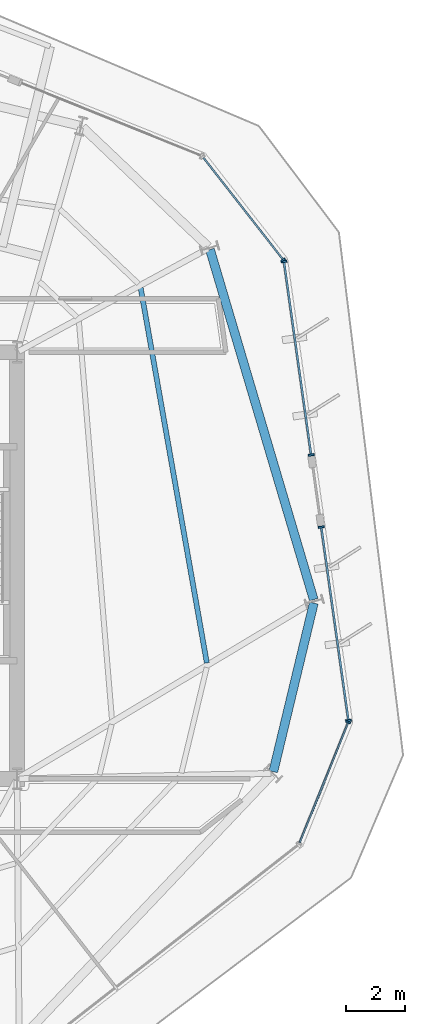
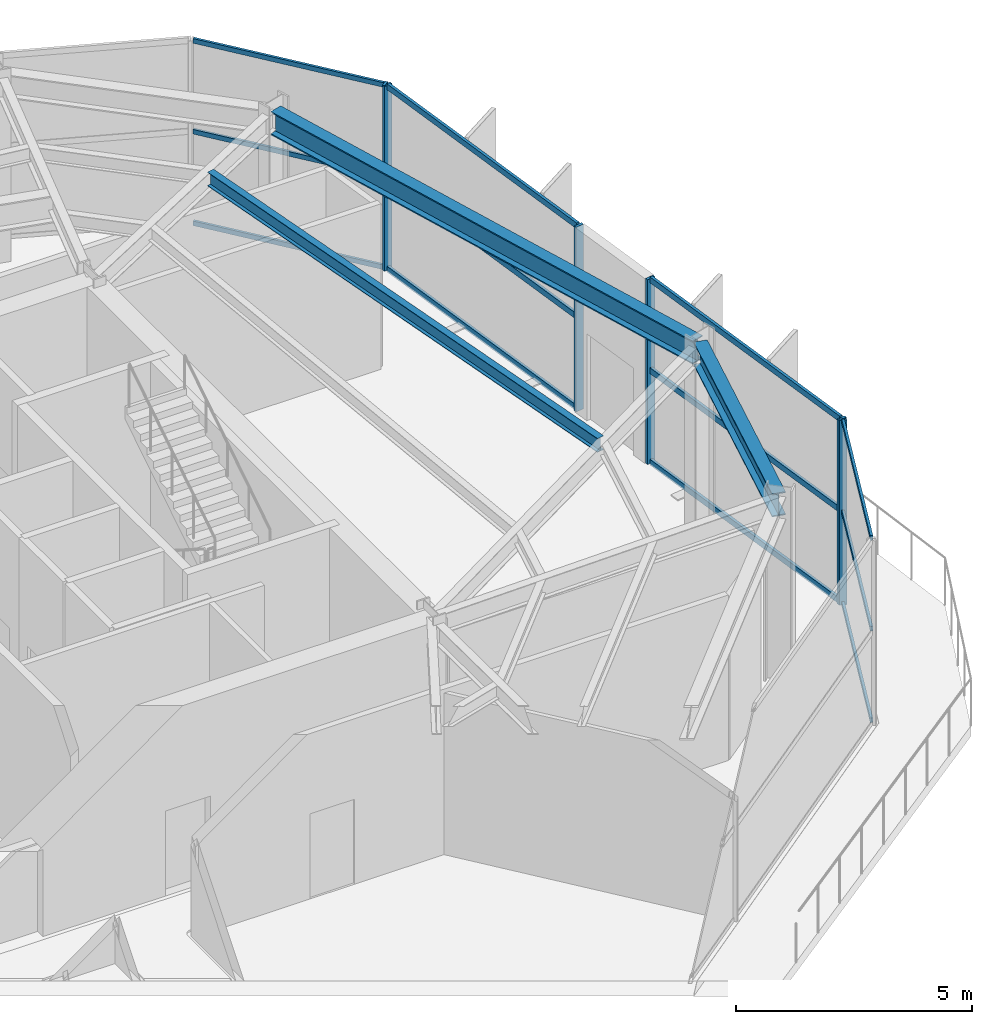
# One storey, part 6 of 14: 18 members, 3 beams, 4 elements without a shape of their own.
"""IFC4 building model written with IfcOpenShell, lengths in metres."""

from ifc_helpers import new_model, si_unit, direction, frame, origin, origin_2d, place, context, subcontext, project, spatial, rectangle, i_section, extrude, material, layer, layer_set, material_profile, profile_set, type_object, element, aggregate, save


model = new_model("IFC4")

# Units and contexts
model_context = context("Model", 3, precision=1e-05, world=origin(), true_north=direction((0.0, 1.0)))
body_context = subcontext(model_context, "Body", "Model", "MODEL_VIEW")
ifc_project = project(units=[si_unit("LENGTHUNIT", "METRE"), si_unit("AREAUNIT", "SQUARE_METRE"), si_unit("VOLUMEUNIT", "CUBIC_METRE"), si_unit("PLANEANGLEUNIT", "RADIAN"), si_unit("MASSUNIT", "GRAM", prefix="KILO")], contexts=[model_context])

# Site, building, storey
site_placement = place(None, origin())
site = spatial("IfcSite", under=ifc_project, at=site_placement, CompositionType="ELEMENT")
building_placement = place(site_placement, origin())
building = spatial("IfcBuilding", under=site, at=building_placement, Name="Kranzbogen Civic Tower", CompositionType="ELEMENT")
storey_placement = place(building_placement, frame((0.0, 0.0, 175.800048828125)))
storey = spatial("IfcBuildingStorey", under=building, at=storey_placement, Name="L42", CompositionType="ELEMENT", Elevation=175.800048828125)

# Curtain wall, member
ifc_material_1 = material(Name="Pale Anodised Aluminium", Category="aluminium")
ifc_layer_1 = layer(ifc_material_1, 0.219970703125, Name="Pale Anodised Aluminium")
ifc_layer_set_1 = layer_set([ifc_layer_1], Name="Pale Anodised Aluminium")
curtain_wall_type_1 = type_object("IfcCurtainWallType", Name="Chamfer Facet Stick Curtain Wall System CW-06", PredefinedType="USERDEFINED", material=ifc_layer_set_1)
curtain_wall_1_placement = place(storey_placement, origin())
curtain_wall_1 = element("IfcCurtainWall", 1, at=curtain_wall_1_placement, inside=storey, type_object=curtain_wall_type_1, Name="L42 curtain wall CW-L42-C5", ObjectType="STICK CURTAIN WALL", PredefinedType="USERDEFINED")
ifc_material_profile_1 = material_profile(ifc_material_1, rectangle(XDim=0.06005859375, YDim=0.159912109375, at=origin_2d()), Name="ALU-M 60x160")
ifc_profile_set_1 = profile_set([ifc_material_profile_1], Name="Pale Anodised Aluminium")
member_type_1 = type_object("IfcMemberType", Name="Curtain Wall Mullion ALU-M 60x160", PredefinedType="MULLION", material=ifc_profile_set_1)
member_1_placement = place(storey_placement, frame((43.977783203125, 19.709228515625, 0.0), z_axis=(0.0, 0.0, 1.0), x_axis=(0.374707302781, 0.92714315898, 0.0)))
member_1 = element("IfcMember", 2, at=member_1_placement, type_object=member_type_1, Name="CW-06 mullion 2", PredefinedType="MULLION", context=body_context, shape_type="SweptSolid", body=[
    extrude(rectangle(XDim=0.06005859375, YDim=0.159912109375, at=origin_2d()), origin(), (0.0, 0.0, 1.0), 4.780029296875),
])

curtain_wall_2_placement = place(storey_placement, origin())
curtain_wall_2 = element("IfcCurtainWall", 3, at=curtain_wall_2_placement, inside=storey, type_object=curtain_wall_type_1, Name="L42 curtain wall CW-L42-C6", ObjectType="STICK CURTAIN WALL", PredefinedType="USERDEFINED")
member_2_placement = place(storey_placement, frame((41.784423828125, 35.316650390625, 0.0), z_axis=(0.0, 0.0, 1.0), x_axis=(-0.615674442522, 0.78800062235, 0.0)))
member_2 = element("IfcMember", 4, at=member_2_placement, type_object=member_type_1, Name="CW-06 mullion 1", PredefinedType="MULLION", context=body_context, shape_type="SweptSolid", body=[
    extrude(rectangle(XDim=0.06005859375, YDim=0.159912109375, at=origin_2d()), origin(), (0.0, 0.0, 1.0), 4.780029296875),
])

# Curtain wall, members
ifc_layer_2 = layer(ifc_material_1, 0.219970703125, Name="Pale Anodised Aluminium")
ifc_layer_set_2 = layer_set([ifc_layer_2], Name="Pale Anodised Aluminium")
curtain_wall_type_2 = type_object("IfcCurtainWallType", Name="Zone 3 Stick Curtain Wall System CW-04", PredefinedType="USERDEFINED", material=ifc_layer_set_2)
curtain_wall_3_placement = place(storey_placement, origin())
curtain_wall_3 = element("IfcCurtainWall", 5, at=curtain_wall_3_placement, inside=storey, type_object=curtain_wall_type_2, Name="L42 curtain wall CW-L42-F6-S1", ObjectType="STICK CURTAIN WALL", PredefinedType="USERDEFINED")
ifc_material_profile_2 = material_profile(ifc_material_1, rectangle(XDim=0.070068359375, YDim=0.199951171875, at=origin_2d()), Name="ALU-M 70x200")
ifc_profile_set_2 = profile_set([ifc_material_profile_2], Name="Pale Anodised Aluminium")
member_type_2 = type_object("IfcMemberType", Name="Curtain Wall Mullion ALU-M 70x200", PredefinedType="MULLION", material=ifc_profile_set_2)
member_3_placement = place(storey_placement, frame((43.98486328125, 19.7666015625, 0.0), z_axis=(0.0, 0.0, 1.0), x_axis=(-0.139148919332, 0.990271466947, 0.0)))
member_3 = element("IfcMember", 6, at=member_3_placement, type_object=member_type_2, Name="CW-04 mullion 1", PredefinedType="MULLION", context=body_context, shape_type="SweptSolid", body=[
    extrude(rectangle(XDim=0.070068359375, YDim=0.199951171875, at=origin_2d()), origin(), (0.0, 0.0, 1.0), 4.780029296875),
])
member_4_placement = place(storey_placement, frame((43.067138671875, 26.29736328125, 0.0), z_axis=(0.0, 0.0, 1.0), x_axis=(-0.139148919332, 0.990271466947, 0.0)))
member_4 = element("IfcMember", 7, at=member_4_placement, type_object=member_type_2, Name="CW-04 mullion 2", PredefinedType="MULLION", context=body_context, shape_type="SweptSolid", body=[
    extrude(rectangle(XDim=0.070068359375, YDim=0.199951171875, at=origin_2d()), origin(), (0.0, 0.0, 1.0), 4.780029296875),
])

curtain_wall_4_placement = place(storey_placement, origin())
curtain_wall_4 = element("IfcCurtainWall", 8, at=curtain_wall_4_placement, inside=storey, type_object=curtain_wall_type_2, Name="L42 curtain wall CW-L42-F6-S2", ObjectType="STICK CURTAIN WALL", PredefinedType="USERDEFINED")
member_5_placement = place(storey_placement, frame((42.724853515625, 28.733642578125, 0.0), z_axis=(0.0, 0.0, 1.0), x_axis=(-0.139169628699, 0.99026855673, 0.0)))
member_5 = element("IfcMember", 9, at=member_5_placement, type_object=member_type_2, Name="CW-04 mullion 1", PredefinedType="MULLION", context=body_context, shape_type="SweptSolid", body=[
    extrude(rectangle(XDim=0.070068359375, YDim=0.199951171875, at=origin_2d()), origin(), (0.0, 0.0, 1.0), 4.780029296875),
])
member_6_placement = place(storey_placement, frame((41.80712890625, 35.26318359375, 0.0), z_axis=(0.0, 0.0, 1.0), x_axis=(-0.139169628699, 0.99026855673, 0.0)))
member_6 = element("IfcMember", 10, at=member_6_placement, type_object=member_type_2, Name="CW-04 mullion 2", PredefinedType="MULLION", context=body_context, shape_type="SweptSolid", body=[
    extrude(rectangle(XDim=0.070068359375, YDim=0.199951171875, at=origin_2d()), origin(), (0.0, 0.0, 1.0), 4.780029296875),
])

# Member
ifc_material_profile_3 = material_profile(ifc_material_1, rectangle(XDim=0.06005859375, YDim=0.1201171875, at=origin_2d()), Name="ALU-T 60x120")
ifc_profile_set_3 = profile_set([ifc_material_profile_3], Name="Pale Anodised Aluminium")
member_type_3 = type_object("IfcMemberType", Name="Curtain Wall Transom ALU-T 60x120", PredefinedType="USERDEFINED", material=ifc_profile_set_3)
member_7_placement = place(storey_placement, frame((42.33740234375, 15.650634765625, 0.030029296875), z_axis=(0.374728583094, 0.927134558202, 0.0), x_axis=(-0.927134558202, 0.374728583094, 0.0)))
member_7 = element("IfcMember", 11, at=member_7_placement, type_object=member_type_3, Name="CW-06 transom 1.1", ObjectType="TRANSOM", PredefinedType="USERDEFINED", context=body_context, shape_type="SweptSolid", body=[
    extrude(rectangle(XDim=0.06005859375, YDim=0.1201171875, at=origin_2d()), origin(), (0.0, 0.0, 1.0), 4.34765625),
])

member_8_placement = place(storey_placement, frame((42.33740234375, 15.650634765625, 2.39990234375), z_axis=(0.374728583094, 0.927134558202, 0.0), x_axis=(-0.927134558202, 0.374728583094, 0.0)))
member_8 = element("IfcMember", 12, at=member_8_placement, type_object=member_type_3, Name="CW-06 transom 1.2", ObjectType="TRANSOM", PredefinedType="USERDEFINED", context=body_context, shape_type="SweptSolid", body=[
    extrude(rectangle(XDim=0.06005859375, YDim=0.1201171875, at=origin_2d()), origin(), (0.0, 0.0, 1.0), 4.34765625),
])

member_9_placement = place(storey_placement, frame((42.33740234375, 15.650634765625, 4.75), z_axis=(0.374728583094, 0.927134558202, 0.0), x_axis=(-0.927134558202, 0.374728583094, 0.0)))
member_9 = element("IfcMember", 13, at=member_9_placement, type_object=member_type_3, Name="CW-06 transom 1.3", ObjectType="TRANSOM", PredefinedType="USERDEFINED", context=body_context, shape_type="SweptSolid", body=[
    extrude(rectangle(XDim=0.06005859375, YDim=0.1201171875, at=origin_2d()), origin(), (0.0, 0.0, 1.0), 4.34765625),
])

aggregate(curtain_wall_1, [member_1, member_7, member_8, member_9])

member_10_placement = place(storey_placement, frame((41.76611328125, 35.34033203125, 0.030029296875), z_axis=(-0.61571159356, 0.787971594384, 0.0), x_axis=(-0.787971594384, -0.61571159356, 0.0)))
member_10 = element("IfcMember", 14, at=member_10_placement, type_object=member_type_3, Name="CW-06 transom 1.1", ObjectType="TRANSOM", PredefinedType="USERDEFINED", context=body_context, shape_type="SweptSolid", body=[
    extrude(rectangle(XDim=0.06005859375, YDim=0.1201171875, at=origin_2d()), origin(), (0.0, 0.0, 1.0), 4.34814453125),
])

member_11_placement = place(storey_placement, frame((41.76611328125, 35.34033203125, 2.39990234375), z_axis=(-0.61571159356, 0.787971594384, 0.0), x_axis=(-0.787971594384, -0.61571159356, 0.0)))
member_11 = element("IfcMember", 15, at=member_11_placement, type_object=member_type_3, Name="CW-06 transom 1.2", ObjectType="TRANSOM", PredefinedType="USERDEFINED", context=body_context, shape_type="SweptSolid", body=[
    extrude(rectangle(XDim=0.06005859375, YDim=0.1201171875, at=origin_2d()), origin(), (0.0, 0.0, 1.0), 4.34814453125),
])

member_12_placement = place(storey_placement, frame((41.76611328125, 35.34033203125, 4.75), z_axis=(-0.61571159356, 0.787971594384, 0.0), x_axis=(-0.787971594384, -0.61571159356, 0.0)))
member_12 = element("IfcMember", 16, at=member_12_placement, type_object=member_type_3, Name="CW-06 transom 1.3", ObjectType="TRANSOM", PredefinedType="USERDEFINED", context=body_context, shape_type="SweptSolid", body=[
    extrude(rectangle(XDim=0.06005859375, YDim=0.1201171875, at=origin_2d()), origin(), (0.0, 0.0, 1.0), 4.34814453125),
])

aggregate(curtain_wall_2, [member_2, member_10, member_11, member_12])

ifc_material_profile_4 = material_profile(ifc_material_1, rectangle(XDim=0.070068359375, YDim=0.14990234375, at=origin_2d()), Name="ALU-T 70x150")
ifc_profile_set_4 = profile_set([ifc_material_profile_4], Name="Pale Anodised Aluminium")
member_type_4 = type_object("IfcMemberType", Name="Curtain Wall Transom ALU-T 70x150", PredefinedType="USERDEFINED", material=ifc_profile_set_4)
member_13_placement = place(storey_placement, frame((43.980712890625, 19.79638671875, 0.030029296875), z_axis=(-0.139166676203, 0.990268971661, 0.0), x_axis=(-0.990268971661, -0.139166676203, 0.0)))
member_13 = element("IfcMember", 17, at=member_13_placement, type_object=member_type_4, Name="CW-04 transom 1.1", ObjectType="TRANSOM", PredefinedType="USERDEFINED", context=body_context, shape_type="SweptSolid", body=[
    extrude(rectangle(XDim=0.070068359375, YDim=0.14990234375, at=origin_2d()), origin(), (0.0, 0.0, 1.0), 6.53466796875),
])

member_14_placement = place(storey_placement, frame((43.980712890625, 19.79638671875, 2.39990234375), z_axis=(-0.139166676203, 0.990268971661, 0.0), x_axis=(-0.990268971661, -0.139166676203, 0.0)))
member_14 = element("IfcMember", 18, at=member_14_placement, type_object=member_type_4, Name="CW-04 transom 1.2", ObjectType="TRANSOM", PredefinedType="USERDEFINED", context=body_context, shape_type="SweptSolid", body=[
    extrude(rectangle(XDim=0.070068359375, YDim=0.14990234375, at=origin_2d()), origin(), (0.0, 0.0, 1.0), 6.53466796875),
])

member_15_placement = place(storey_placement, frame((43.980712890625, 19.79638671875, 4.75), z_axis=(-0.139166676203, 0.990268971661, 0.0), x_axis=(-0.990268971661, -0.139166676203, 0.0)))
member_15 = element("IfcMember", 19, at=member_15_placement, type_object=member_type_4, Name="CW-04 transom 1.3", ObjectType="TRANSOM", PredefinedType="USERDEFINED", context=body_context, shape_type="SweptSolid", body=[
    extrude(rectangle(XDim=0.070068359375, YDim=0.14990234375, at=origin_2d()), origin(), (0.0, 0.0, 1.0), 6.53466796875),
])

aggregate(curtain_wall_3, [member_3, member_4, member_13, member_14, member_15])

member_16_placement = place(storey_placement, frame((42.720703125, 28.763427734375, 0.030029296875), z_axis=(-0.139187274012, 0.990266076746, 0.0), x_axis=(-0.990266076746, -0.139187274012, 0.0)))
member_16 = element("IfcMember", 20, at=member_16_placement, type_object=member_type_4, Name="CW-04 transom 1.1", ObjectType="TRANSOM", PredefinedType="USERDEFINED", context=body_context, shape_type="SweptSolid", body=[
    extrude(rectangle(XDim=0.070068359375, YDim=0.14990234375, at=origin_2d()), origin(), (0.0, 0.0, 1.0), 6.533935546875),
])

member_17_placement = place(storey_placement, frame((42.720703125, 28.763427734375, 2.39990234375), z_axis=(-0.139187274012, 0.990266076746, 0.0), x_axis=(-0.990266076746, -0.139187274012, 0.0)))
member_17 = element("IfcMember", 21, at=member_17_placement, type_object=member_type_4, Name="CW-04 transom 1.2", ObjectType="TRANSOM", PredefinedType="USERDEFINED", context=body_context, shape_type="SweptSolid", body=[
    extrude(rectangle(XDim=0.070068359375, YDim=0.14990234375, at=origin_2d()), origin(), (0.0, 0.0, 1.0), 6.533935546875),
])

member_18_placement = place(storey_placement, frame((42.720703125, 28.763427734375, 4.75), z_axis=(-0.139187274012, 0.990266076746, 0.0), x_axis=(-0.990266076746, -0.139187274012, 0.0)))
member_18 = element("IfcMember", 22, at=member_18_placement, type_object=member_type_4, Name="CW-04 transom 1.3", ObjectType="TRANSOM", PredefinedType="USERDEFINED", context=body_context, shape_type="SweptSolid", body=[
    extrude(rectangle(XDim=0.070068359375, YDim=0.14990234375, at=origin_2d()), origin(), (0.0, 0.0, 1.0), 6.533935546875),
])

aggregate(curtain_wall_4, [member_5, member_6, member_16, member_17, member_18])

# Beams
ifc_material_2 = material(Name="Steel S355", Category="steel")
ifc_material_profile_5 = material_profile(ifc_material_2, i_section(OverallWidth=0.300048828125, OverallDepth=0.60009765625, WebThickness=0.015380859375, FlangeThickness=0.030029296875, at=origin_2d()), Name="HEB 600")
ifc_profile_set_5 = profile_set([ifc_material_profile_5], Name="Steel S355")
beam_type_1 = type_object("IfcBeamType", Name="Perimeter Tube Spandrel Beam HEB 600", PredefinedType="SPANDREL", material=ifc_profile_set_5)
beam_1_placement = place(storey_placement, frame((41.447021484375, 18.0419921875, 4.47998046875), z_axis=(0.233554380434, 0.972343741369, 0.0), x_axis=(-0.972343741369, 0.233554380434, 0.0)))
element("IfcBeam", 23, at=beam_1_placement, inside=storey, type_object=beam_type_1, Name="L42 perimeter spandrel beam 05", PredefinedType="SPANDREL", context=body_context, shape_type="SweptSolid", body=[
    extrude(i_section(OverallWidth=0.300048828125, OverallDepth=0.60009765625, WebThickness=0.015380859375, FlangeThickness=0.030029296875, at=origin_2d()), origin(), (0.0, 0.0, 1.0), 5.852783203125),
])
beam_2_placement = place(storey_placement, frame((42.81103515625, 23.84912109375, 4.47998046875), z_axis=(-0.284064048956, 0.958805306666, 0.0), x_axis=(-0.958805306666, -0.284064048956, 0.0)))
element("IfcBeam", 24, at=beam_2_placement, inside=storey, type_object=beam_type_1, Name="L42 perimeter spandrel beam 06", PredefinedType="SPANDREL", context=body_context, shape_type="SweptSolid", body=[
    extrude(i_section(OverallWidth=0.300048828125, OverallDepth=0.60009765625, WebThickness=0.015380859375, FlangeThickness=0.030029296875, at=origin_2d()), origin(), (0.0, 0.0, 1.0), 12.32470703125),
])
ifc_material_profile_6 = material_profile(ifc_material_2, i_section(OverallWidth=0.169921875, OverallDepth=0.360107421875, WebThickness=0.008056640625, FlangeThickness=0.0126953125, at=origin_2d()), Name="IPE 360")
ifc_profile_set_6 = profile_set([ifc_material_profile_6], Name="Steel S355")
beam_type_2 = type_object("IfcBeamType", Name="Secondary Composite Floor Joist IPE 360", PredefinedType="JOIST", material=ifc_profile_set_6)
beam_3_placement = place(storey_placement, frame((39.2041015625, 21.712890625, 4.599853515625), z_axis=(-0.173805911364, 0.984779927281, 0.0), x_axis=(-0.984779927281, -0.173805911364, 0.0)))
element("IfcBeam", 25, at=beam_3_placement, inside=storey, type_object=beam_type_2, Name="L42 secondary floor joist 1.06", PredefinedType="JOIST", context=body_context, shape_type="SweptSolid", body=[
    extrude(i_section(OverallWidth=0.169921875, OverallDepth=0.360107421875, WebThickness=0.008056640625, FlangeThickness=0.0126953125, at=origin_2d()), origin(), (0.0, 0.0, 1.0), 12.85986328125),
])

save(model, "model.ifc")
